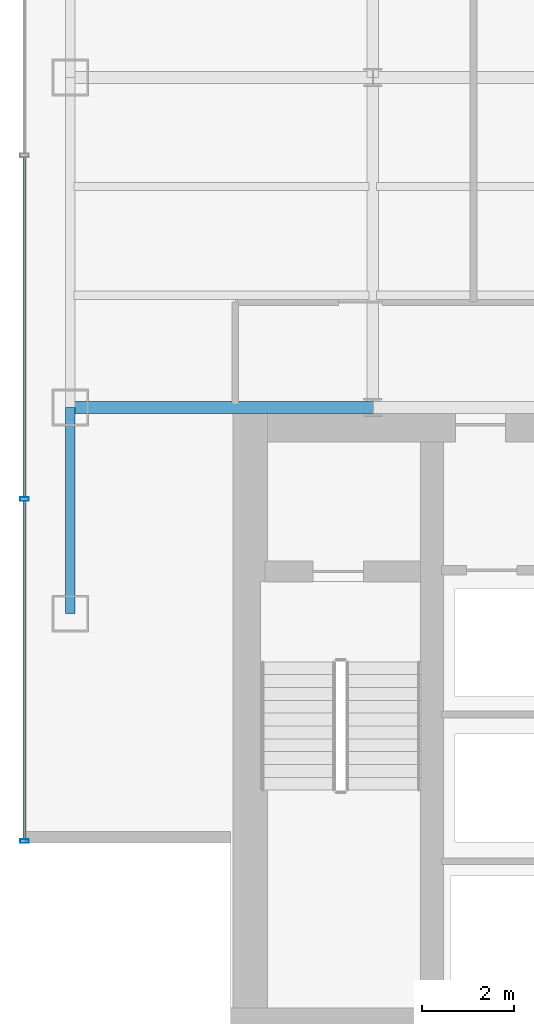
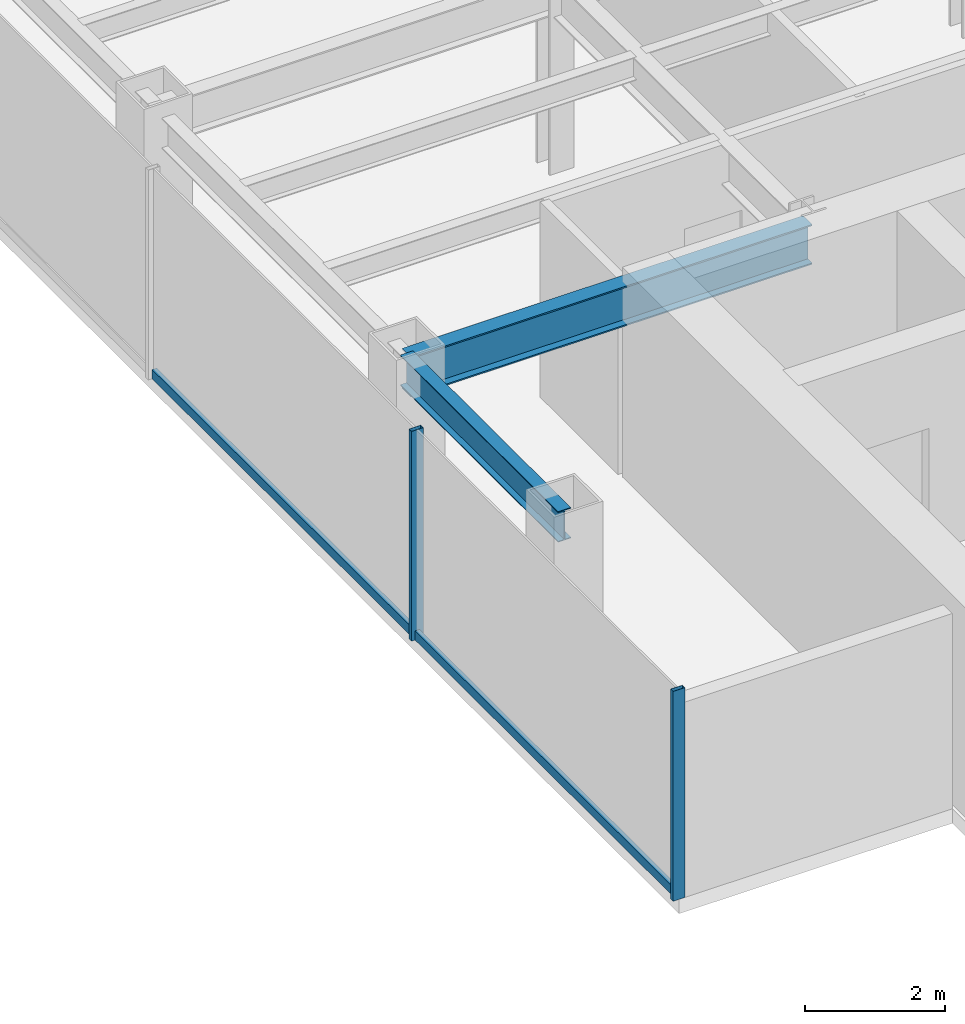
# One storey, part 2 of 26: 4 members, 2 beams, 1 element without a shape of its own.
"""IFC4 building model written with IfcOpenShell, lengths in metres."""

from ifc_helpers import new_model, si_unit, derived_unit, direction, frame, origin, origin_2d, place, context, subcontext, project, spatial, hollow_rectangle, i_section, extrude, source, transform, mapped, material, material_profile, profile_set, type_object, element, aggregate, save


model = new_model("IFC4")

# Units and contexts
model_context = context("Model", 3, precision=1e-05, world=origin(), true_north=direction((0.0, 1.0)))
body_context = subcontext(model_context, "Body", "Model", "MODEL_VIEW")
ifc_project = project(units=[si_unit("LENGTHUNIT", "METRE"), si_unit("AREAUNIT", "SQUARE_METRE"), si_unit("VOLUMEUNIT", "CUBIC_METRE"), si_unit("PLANEANGLEUNIT", "RADIAN"), si_unit("MASSUNIT", "GRAM", prefix="KILO"), derived_unit("THERMALTRANSMITTANCEUNIT", [(si_unit("POWERUNIT", "WATT"), 1), (si_unit("LENGTHUNIT", "METRE"), -2), (si_unit("THERMODYNAMICTEMPERATUREUNIT", "KELVIN"), -1)])], contexts=[model_context])

# Site, building, storey
site_placement = place(None, origin())
site = spatial("IfcSite", under=ifc_project, at=site_placement, CompositionType="ELEMENT")
building_placement = place(site_placement, origin())
building = spatial("IfcBuilding", under=site, at=building_placement, Name="Skarnbrae Concourse Arena and Tower", CompositionType="ELEMENT")
storey_placement = place(building_placement, frame((0.0, 0.0, 103.25)))
storey = spatial("IfcBuildingStorey", under=building, at=storey_placement, Name="L25", CompositionType="ELEMENT", Elevation=103.25)

# Beams
ifc_material_1 = material(Name="Steel CSA G40.21 350W", Category="steel")
ifc_material_profile_1 = material_profile(ifc_material_1, i_section(OverallWidth=0.256103515625, OverallDepth=0.693115234375, WebThickness=0.014404296875, FlangeThickness=0.023681640625, at=origin_2d()), Name="W690X170")
ifc_profile_set_1 = profile_set([ifc_material_profile_1], Name="Steel CSA G40.21 350W")
beam_type_1 = type_object("IfcBeamType", Name="BM-GIRD-W690X170", PredefinedType="BEAM", material=ifc_profile_set_1)
shared_shape_1 = source(origin(), body_context, "Body", "SweptSolid", [
    extrude(i_section(OverallWidth=0.256103515625, OverallDepth=0.693115234375, WebThickness=0.014404296875, FlangeThickness=0.023681640625, at=origin_2d()), origin(), (0.0, 0.0, 1.0), 6.60009765625),
])
beam_1_placement = place(storey_placement, frame((1.0, 14.0, 3.053466796875), z_axis=(1.0, 0.0, 0.0), x_axis=(0.0, 1.0, 0.0)))
element("IfcBeam", 1, at=beam_1_placement, inside=storey, type_object=beam_type_1, Name="L25 Primary E-W girder Y14.0-1", PredefinedType="BEAM", context=body_context, shape_type="MappedRepresentation", body=[
    mapped(shared_shape_1, transform((0.0, 0.0, 0.0))),
])
ifc_material_profile_2 = material_profile(ifc_material_1, i_section(OverallWidth=0.208984375, OverallDepth=0.532958984375, WebThickness=0.01025390625, FlangeThickness=0.015625, at=origin_2d()), Name="W530X92")
ifc_profile_set_2 = profile_set([ifc_material_profile_2], Name="Steel CSA G40.21 350W")
beam_type_2 = type_object("IfcBeamType", Name="BM-SPAN-W530X92", PredefinedType="SPANDREL", material=ifc_profile_set_2)
shared_shape_2 = source(origin(), body_context, "Body", "SweptSolid", [
    extrude(i_section(OverallWidth=0.208984375, OverallDepth=0.532958984375, WebThickness=0.01025390625, FlangeThickness=0.015625, at=origin_2d()), origin(), (0.0, 0.0, 1.0), 4.5),
])
beam_2_placement = place(storey_placement, frame((1.0, 9.5, 3.133544921875), z_axis=(0.0, 1.0, 0.0), x_axis=(-1.0, 0.0, 0.0)))
element("IfcBeam", 2, at=beam_2_placement, inside=storey, type_object=beam_type_2, Name="L25 Perimeter spandrel X1.0-1", PredefinedType="SPANDREL", context=body_context, shape_type="MappedRepresentation", body=[
    mapped(shared_shape_2, transform((0.0, 0.0, 0.0))),
])

# Curtain wall, members
ifc_material_2 = material(Name="Bronze anodised aluminium 6063-T6", Category="aluminium")
curtain_wall_type = type_object("IfcCurtainWallType", Name="CW-SYS-04-MIDZONE", PredefinedType="USERDEFINED", material=ifc_material_2)
curtain_wall_placement = place(storey_placement, origin())
curtain_wall = element("IfcCurtainWall", 3, at=curtain_wall_placement, inside=storey, type_object=curtain_wall_type, Name="L25 Unitised curtain wall CW-L25-E19", ObjectType="UNITISED CURTAIN WALL", PredefinedType="USERDEFINED")
ifc_material_profile_3 = material_profile(ifc_material_2, hollow_rectangle(XDim=0.074951171875, YDim=0.159912109375, WallThickness=0.00439453125, at=origin_2d()), Name="ALU-TRAN-75X160")
ifc_profile_set_3 = profile_set([ifc_material_profile_3], Name="Bronze anodised aluminium 6063-T6")
member_type_1 = type_object("IfcMemberType", Name="CWT-CW-04", PredefinedType="USERDEFINED", material=ifc_profile_set_3)
shared_shape_3 = source(origin(), body_context, "Body", "SweptSolid", [
    extrude(hollow_rectangle(XDim=0.074951171875, YDim=0.159912109375, WallThickness=0.00439453125, at=origin_2d()), origin(), (0.0, 0.0, 1.0), 7.387451171875),
])
member_1_placement = place(storey_placement, frame((0.0, 11.96240234375, 0.080078125), z_axis=(0.0, -1.0, 0.0), x_axis=(1.0, 0.0, 0.0)))
member_1 = element("IfcMember", 4, at=member_1_placement, type_object=member_type_1, Name="CW-L25-E19 Transom 4", ObjectType="TRANSOM", PredefinedType="USERDEFINED", context=body_context, shape_type="MappedRepresentation", body=[
    mapped(shared_shape_3, transform((0.0, 0.0, 0.0))),
])
shared_shape_4 = source(origin(), body_context, "Body", "SweptSolid", [
    extrude(hollow_rectangle(XDim=0.074951171875, YDim=0.159912109375, WallThickness=0.00439453125, at=origin_2d()), origin(), (0.0, 0.0, 1.0), 7.4248046875),
])
member_2_placement = place(storey_placement, frame((0.0, 19.46240234375, 0.080078125), z_axis=(0.0, -1.0, 0.0), x_axis=(1.0, 0.0, 0.0)))
member_2 = element("IfcMember", 5, at=member_2_placement, type_object=member_type_1, Name="CW-L25-E19 Transom 3", ObjectType="TRANSOM", PredefinedType="USERDEFINED", context=body_context, shape_type="MappedRepresentation", body=[
    mapped(shared_shape_4, transform((0.0, 0.0, 0.0))),
])
ifc_material_profile_4 = material_profile(ifc_material_2, hollow_rectangle(XDim=0.074951171875, YDim=0.195068359375, WallThickness=0.00439453125, at=origin_2d()), Name="ALU-MULL-75X195")
ifc_profile_set_4 = profile_set([ifc_material_profile_4], Name="Bronze anodised aluminium 6063-T6")
member_type_2 = type_object("IfcMemberType", Name="CWM-CW-04", PredefinedType="MULLION", material=ifc_profile_set_4)
shared_shape_5 = source(origin(), body_context, "Body", "SweptSolid", [
    extrude(hollow_rectangle(XDim=0.074951171875, YDim=0.195068359375, WallThickness=0.00439453125, at=origin_2d()), origin(), (0.0, 0.0, 1.0), 3.64990234375),
])
member_3_placement = place(storey_placement, frame((0.0, 12.0, 0.0), z_axis=(0.0, 0.0, 1.0), x_axis=(0.0, -1.0, 0.0)))
member_3 = element("IfcMember", 6, at=member_3_placement, type_object=member_type_2, Name="CW-L25-E19 Mullion 4", PredefinedType="MULLION", context=body_context, shape_type="MappedRepresentation", body=[
    mapped(shared_shape_5, transform((0.0, 0.0, 0.0))),
])
member_4_placement = place(storey_placement, frame((0.0, 4.53759765625, 0.0), z_axis=(0.0, 0.0, 1.0), x_axis=(0.0, -1.0, 0.0)))
member_4 = element("IfcMember", 7, at=member_4_placement, type_object=member_type_2, Name="CW-L25-E19 Mullion 5", PredefinedType="MULLION", context=body_context, shape_type="MappedRepresentation", body=[
    mapped(shared_shape_5, transform((0.0, 0.0, 0.0))),
])
aggregate(curtain_wall, [member_3, member_4, member_2, member_1])

save(model, "model.ifc")
